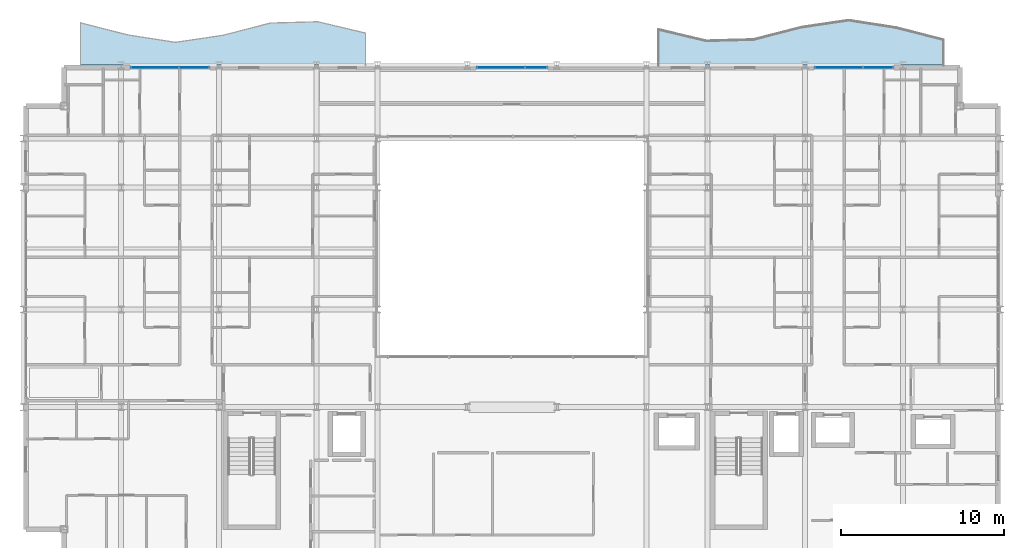
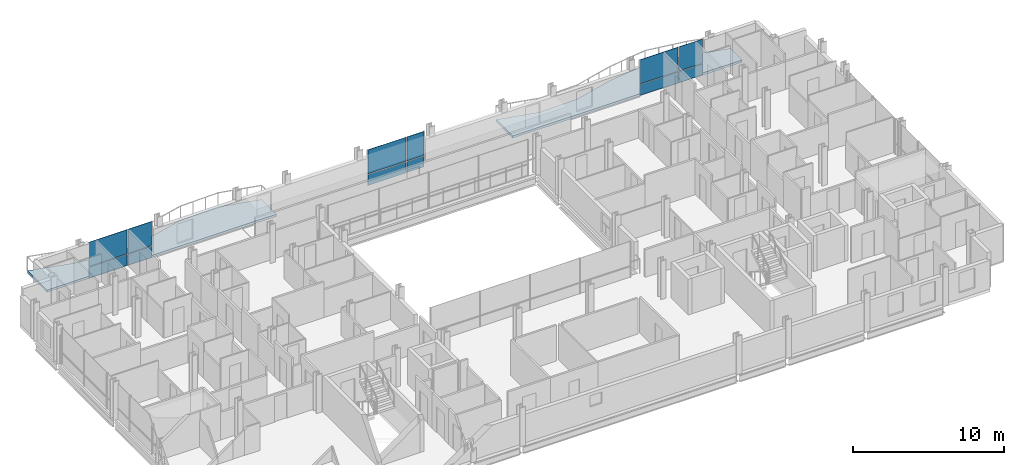
# One storey, part 29 of 40: 12 plates, 2 slabs, 3 elements without a shape of their own.
"""IFC4 building model written with IfcOpenShell, lengths in metres."""

from ifc_helpers import new_model, si_unit, direction, frame, origin, origin_2d, place, context, subcontext, project, spatial, polyline, rectangle, outline, extrude, material, layer, layer_set, type_object, element, aggregate, save


model = new_model("IFC4")

# Units and contexts
model_context = context("Model", 3, precision=1e-05, world=origin(), true_north=direction((0.0, 1.0)))
body_context = subcontext(model_context, "Body", "Model", "MODEL_VIEW")
ifc_project = project(units=[si_unit("LENGTHUNIT", "METRE"), si_unit("AREAUNIT", "SQUARE_METRE"), si_unit("VOLUMEUNIT", "CUBIC_METRE"), si_unit("PLANEANGLEUNIT", "RADIAN"), si_unit("MASSUNIT", "GRAM", prefix="KILO")], contexts=[model_context])

# Site, building, storey
site_placement = place(None, origin())
site = spatial("IfcSite", under=ifc_project, at=site_placement, CompositionType="ELEMENT")
building_placement = place(site_placement, origin())
building = spatial("IfcBuilding", under=site, at=building_placement, Name="Brevholm Reach", CompositionType="ELEMENT")
storey_placement = place(building_placement, frame((0.0, 0.0, 80.699951171875)))
storey = spatial("IfcBuildingStorey", under=building, at=storey_placement, Name="L23", CompositionType="ELEMENT", Elevation=80.699951171875)

# Curtain wall, plates
ifc_material_1 = material(Name="Dark Anodised Aluminium 6063-T6 and Solar-Control Glass", Category="aluminium")
ifc_layer_1 = layer(ifc_material_1, 0.14990234375)
ifc_layer_set_1 = layer_set([ifc_layer_1], Name="Dark Anodised Aluminium 6063-T6 and Solar-Control Glass")
curtain_wall_type = type_object("IfcCurtainWallType", Name="CW-01", PredefinedType="NOTDEFINED", material=ifc_layer_set_1)
curtain_wall_1_placement = place(storey_placement, origin())
curtain_wall_1 = element("IfcCurtainWall", 1, at=curtain_wall_1_placement, inside=storey, type_object=curtain_wall_type, Name="L23 Curtain Wall CW-01", PredefinedType="NOTDEFINED")
ifc_material_2 = material(Name="Dark Solar-Control Double-Glazed IGU Glass", Category="glass")
ifc_layer_2 = layer(ifc_material_2, 0.028076171875)
ifc_layer_set_2 = layer_set([ifc_layer_2], Name="Dark Solar-Control Double-Glazed IGU Glass")
plate_type = type_object("IfcPlateType", Name="CWP-GLZ-28", PredefinedType="CURTAIN_PANEL", material=ifc_layer_set_2)
plate_1_placement = place(storey_placement, frame((8.066162109375, 30.85009765625, 0.0), z_axis=(0.0, 0.0, 1.0), x_axis=(1.0, 0.0, 0.0)))
plate_1 = element("IfcPlate", 2, at=plate_1_placement, type_object=plate_type, Name="CP-01 Glazing Panel 1.1", PredefinedType="CURTAIN_PANEL", context=body_context, shape_type="SweptSolid", body=[
    extrude(rectangle(XDim=2.902587890625, YDim=0.028076171875, at=origin_2d()), origin(), (0.0, 0.0, 1.0), 0.867431640625),
])
plate_2_placement = place(storey_placement, frame((8.066162109375, 30.85009765625, 0.9326171875), z_axis=(0.0, 0.0, 1.0), x_axis=(1.0, 0.0, 0.0)))
plate_2 = element("IfcPlate", 3, at=plate_2_placement, type_object=plate_type, Name="CP-01 Glazing Panel 1.2", PredefinedType="CURTAIN_PANEL", context=body_context, shape_type="SweptSolid", body=[
    extrude(rectangle(XDim=2.902587890625, YDim=0.028076171875, at=origin_2d()), origin(), (0.0, 0.0, 1.0), 1.9375),
])
plate_3_placement = place(storey_placement, frame((10.483642578125, 30.85009765625, 0.0), z_axis=(0.0, 0.0, 1.0), x_axis=(1.0, 0.0, 0.0)))
plate_3 = element("IfcPlate", 4, at=plate_3_placement, type_object=plate_type, Name="CP-01 Glazing Panel 2.1", PredefinedType="CURTAIN_PANEL", context=body_context, shape_type="SweptSolid", body=[
    extrude(rectangle(XDim=1.802490234375, YDim=0.028076171875, at=origin_2d()), origin(), (0.0, 0.0, 1.0), 0.867431640625),
])
plate_4_placement = place(storey_placement, frame((10.483642578125, 30.85009765625, 0.9326171875), z_axis=(0.0, 0.0, 1.0), x_axis=(1.0, 0.0, 0.0)))
plate_4 = element("IfcPlate", 5, at=plate_4_placement, type_object=plate_type, Name="CP-01 Glazing Panel 2.2", PredefinedType="CURTAIN_PANEL", context=body_context, shape_type="SweptSolid", body=[
    extrude(rectangle(XDim=1.802490234375, YDim=0.028076171875, at=origin_2d()), origin(), (0.0, 0.0, 1.0), 1.9375),
])
aggregate(curtain_wall_1, [plate_1, plate_2, plate_3, plate_4])

curtain_wall_2_placement = place(storey_placement, origin())
curtain_wall_2 = element("IfcCurtainWall", 6, at=curtain_wall_2_placement, inside=storey, type_object=curtain_wall_type, Name="L23 Curtain Wall CW-01", PredefinedType="NOTDEFINED")
plate_5_placement = place(storey_placement, frame((29.316162109375, 30.85009765625, 0.0), z_axis=(0.0, 0.0, 1.0), x_axis=(1.0, 0.0, 0.0)))
plate_5 = element("IfcPlate", 7, at=plate_5_placement, type_object=plate_type, Name="CP-01 Glazing Panel 1.1", PredefinedType="CURTAIN_PANEL", context=body_context, shape_type="SweptSolid", body=[
    extrude(rectangle(XDim=2.902587890625, YDim=0.028076171875, at=origin_2d()), origin(), (0.0, 0.0, 1.0), 0.867431640625),
])
plate_6_placement = place(storey_placement, frame((29.316162109375, 30.85009765625, 0.9326171875), z_axis=(0.0, 0.0, 1.0), x_axis=(1.0, 0.0, 0.0)))
plate_6 = element("IfcPlate", 8, at=plate_6_placement, type_object=plate_type, Name="CP-01 Glazing Panel 1.2", PredefinedType="CURTAIN_PANEL", context=body_context, shape_type="SweptSolid", body=[
    extrude(rectangle(XDim=2.902587890625, YDim=0.028076171875, at=origin_2d()), origin(), (0.0, 0.0, 1.0), 1.9375),
])
plate_7_placement = place(storey_placement, frame((31.483642578125, 30.85009765625, 0.0), z_axis=(0.0, 0.0, 1.0), x_axis=(1.0, 0.0, 0.0)))
plate_7 = element("IfcPlate", 9, at=plate_7_placement, type_object=plate_type, Name="CP-01 Glazing Panel 2.1", PredefinedType="CURTAIN_PANEL", context=body_context, shape_type="SweptSolid", body=[
    extrude(rectangle(XDim=1.302490234375, YDim=0.028076171875, at=origin_2d()), origin(), (0.0, 0.0, 1.0), 0.867431640625),
])
plate_8_placement = place(storey_placement, frame((31.483642578125, 30.85009765625, 0.9326171875), z_axis=(0.0, 0.0, 1.0), x_axis=(1.0, 0.0, 0.0)))
plate_8 = element("IfcPlate", 10, at=plate_8_placement, type_object=plate_type, Name="CP-01 Glazing Panel 2.2", PredefinedType="CURTAIN_PANEL", context=body_context, shape_type="SweptSolid", body=[
    extrude(rectangle(XDim=1.302490234375, YDim=0.028076171875, at=origin_2d()), origin(), (0.0, 0.0, 1.0), 1.9375),
])
aggregate(curtain_wall_2, [plate_5, plate_6, plate_7, plate_8])

curtain_wall_3_placement = place(storey_placement, origin())
curtain_wall_3 = element("IfcCurtainWall", 11, at=curtain_wall_3_placement, inside=storey, type_object=curtain_wall_type, Name="L23 Curtain Wall CW-01", PredefinedType="NOTDEFINED")
plate_9_placement = place(storey_placement, frame((50.066162109375, 30.85009765625, 0.0), z_axis=(0.0, 0.0, 1.0), x_axis=(1.0, 0.0, 0.0)))
plate_9 = element("IfcPlate", 12, at=plate_9_placement, type_object=plate_type, Name="CP-01 Glazing Panel 1.1", PredefinedType="CURTAIN_PANEL", context=body_context, shape_type="SweptSolid", body=[
    extrude(rectangle(XDim=2.902587890625, YDim=0.028076171875, at=origin_2d()), origin(), (0.0, 0.0, 1.0), 0.867431640625),
])
plate_10_placement = place(storey_placement, frame((50.066162109375, 30.85009765625, 0.9326171875), z_axis=(0.0, 0.0, 1.0), x_axis=(1.0, 0.0, 0.0)))
plate_10 = element("IfcPlate", 13, at=plate_10_placement, type_object=plate_type, Name="CP-01 Glazing Panel 1.2", PredefinedType="CURTAIN_PANEL", context=body_context, shape_type="SweptSolid", body=[
    extrude(rectangle(XDim=2.902587890625, YDim=0.028076171875, at=origin_2d()), origin(), (0.0, 0.0, 1.0), 1.9375),
])
plate_11_placement = place(storey_placement, frame((52.483642578125, 30.85009765625, 0.0), z_axis=(0.0, 0.0, 1.0), x_axis=(1.0, 0.0, 0.0)))
plate_11 = element("IfcPlate", 14, at=plate_11_placement, type_object=plate_type, Name="CP-01 Glazing Panel 2.1", PredefinedType="CURTAIN_PANEL", context=body_context, shape_type="SweptSolid", body=[
    extrude(rectangle(XDim=1.802490234375, YDim=0.028076171875, at=origin_2d()), origin(), (0.0, 0.0, 1.0), 0.867431640625),
])
plate_12_placement = place(storey_placement, frame((52.483642578125, 30.85009765625, 0.9326171875), z_axis=(0.0, 0.0, 1.0), x_axis=(1.0, 0.0, 0.0)))
plate_12 = element("IfcPlate", 15, at=plate_12_placement, type_object=plate_type, Name="CP-01 Glazing Panel 2.2", PredefinedType="CURTAIN_PANEL", context=body_context, shape_type="SweptSolid", body=[
    extrude(rectangle(XDim=1.802490234375, YDim=0.028076171875, at=origin_2d()), origin(), (0.0, 0.0, 1.0), 1.9375),
])
aggregate(curtain_wall_3, [plate_9, plate_10, plate_11, plate_12])

# Slabs
ifc_material_3 = material(Name="Precast Concrete C40/50", Category="concrete")
ifc_layer_3 = layer(ifc_material_3, 0.179931640625)
ifc_layer_set_3 = layer_set([ifc_layer_3], Name="Precast Concrete C40/50")
slab_type = type_object("IfcSlabType", Name="SLB-BAL-180", PredefinedType="FLOOR", material=ifc_layer_set_3)
slab_1_placement = place(storey_placement, frame((0.0, 0.0, -0.179931640625)))
element("IfcSlab", 16, at=slab_1_placement, inside=storey, type_object=slab_type, Name="L23 Rippling External Balcony NE", PredefinedType="FLOOR", context=body_context, shape_type="SweptSolid", body=[
    extrude(outline(polyline([(39.0, 31.0), (56.5, 31.0), (56.5, 32.55029296875), (53.583251953125, 33.294921875), (50.666748046875, 33.75), (47.75, 33.31689453125), (44.833251953125, 32.565673828125), (41.916748046875, 32.484619140625), (39.0, 33.1806640625), (39.0, 31.0)])), origin(), (0.0, 0.0, 1.0), 0.179931640625),
])
slab_2_placement = place(storey_placement, frame((0.0, 0.0, -0.179931640625)))
element("IfcSlab", 17, at=slab_2_placement, inside=storey, type_object=slab_type, Name="L23 Rippling External Balcony NW", PredefinedType="FLOOR", context=body_context, shape_type="SweptSolid", body=[
    extrude(outline(polyline([(3.5, 31.0), (21.0, 31.0), (21.0, 32.969482421875), (18.083251953125, 33.665283203125), (15.166748046875, 33.58447265625), (12.25, 32.8330078125), (9.333251953125, 32.400146484375), (6.416748046875, 32.855224609375), (3.5, 33.599609375), (3.5, 31.0)])), origin(), (0.0, 0.0, 1.0), 0.179931640625),
])

save(model, "model.ifc")
